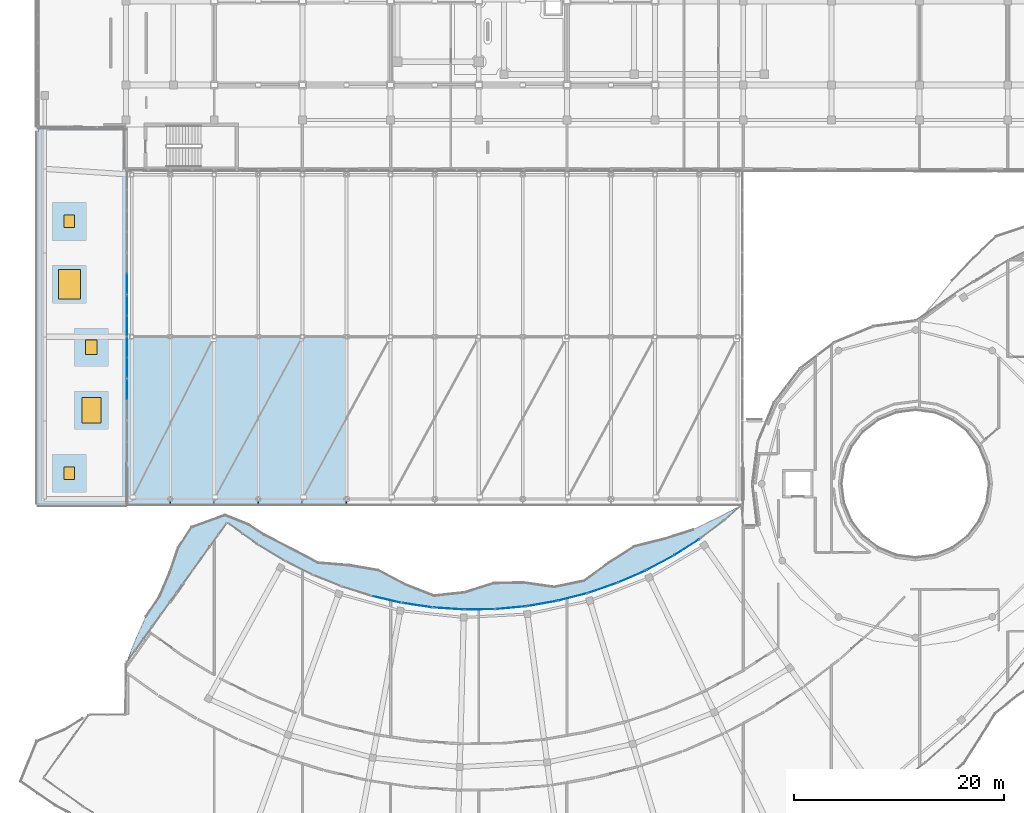
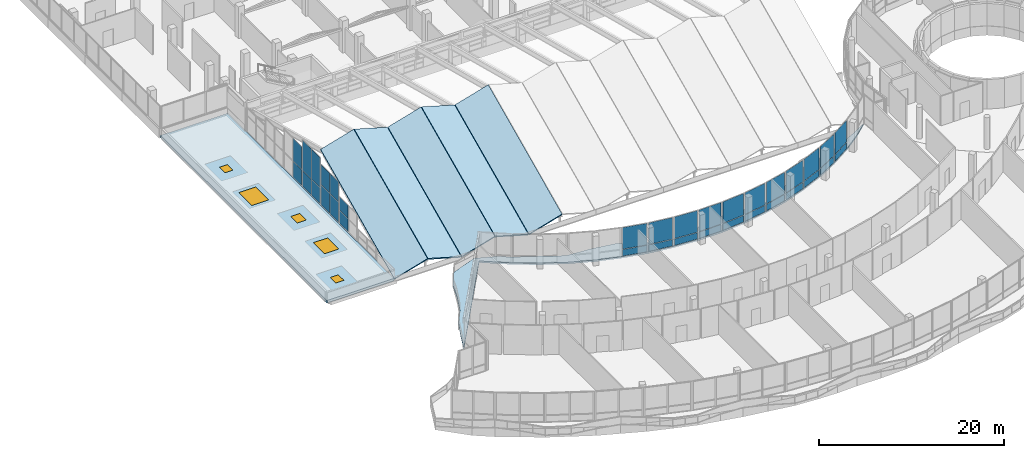
# One storey, part 144 of 184: 34 plates, 7 slabs, 3 doors, 2 windows, 5 openings, 15 elements without a shape of their own.
"""IFC4 building model written with IfcOpenShell, lengths in metres."""

from ifc_helpers import new_model, si_unit, direction, frame, origin, origin_2d, place, context, subcontext, project, spatial, polyline, rectangle, outline, extrude, material, layer, layer_set, type_object, element, fill, aggregate, save


model = new_model("IFC4")

# Units and contexts
model_context = context("Model", 3, precision=1e-05, world=origin(), true_north=direction((0.0, 1.0)))
body_context = subcontext(model_context, "Body", "Model", "MODEL_VIEW")
ifc_project = project(units=[si_unit("LENGTHUNIT", "METRE"), si_unit("AREAUNIT", "SQUARE_METRE"), si_unit("VOLUMEUNIT", "CUBIC_METRE"), si_unit("PLANEANGLEUNIT", "RADIAN"), si_unit("MASSUNIT", "GRAM", prefix="KILO")], contexts=[model_context])

# Site, building, storey
site_placement = place(None, origin())
site = spatial("IfcSite", under=ifc_project, at=site_placement, CompositionType="ELEMENT")
building_placement = place(site_placement, origin())
building = spatial("IfcBuilding", under=site, at=building_placement, Name="Selatvlak General Hospital", CompositionType="ELEMENT")
storey_placement = place(building_placement, frame((0.0, 0.0, 15.0)))
storey = spatial("IfcBuildingStorey", under=building, at=storey_placement, Name="L03", CompositionType="ELEMENT", Elevation=15.0)

# Curtain wall, plates
ifc_material_1 = material(Name="Solar-control Low-E double glazing", Category="glass")
curtain_wall_type_1 = type_object("IfcCurtainWallType", Name="CW-CW-01", PredefinedType="USERDEFINED", material=ifc_material_1)
curtain_wall_1_placement = place(storey_placement, origin())
curtain_wall_1 = element("IfcCurtainWall", 1, at=curtain_wall_1_placement, inside=storey, type_object=curtain_wall_type_1, Name="Glazed facade curtain wall CW-L03-0447", ObjectType="UNITISED CURTAIN WALL", PredefinedType="USERDEFINED")
ifc_layer_1 = layer(ifc_material_1, 0.028076171875, Name="Solar-control Low-E double glazing", Category="glass")
ifc_layer_set_1 = layer_set([ifc_layer_1], Name="Solar-control Low-E double glazing")
plate_type = type_object("IfcPlateType", Name="CWP-01", PredefinedType="CURTAIN_PANEL", material=ifc_layer_set_1)
plate_1_placement = place(storey_placement, frame((47.633056640625, 42.9765625, 0.06494140625), z_axis=(0.0, 0.0, 1.0), x_axis=(0.974478297582, -0.224481730976, 0.0)))
plate_1 = element("IfcPlate", 2, at=plate_1_placement, type_object=plate_type, Name="CW-01 panel 1.1", PredefinedType="CURTAIN_PANEL", context=body_context, shape_type="SweptSolid", body=[
    extrude(rectangle(XDim=2.77001953125, YDim=0.028076171875, at=origin_2d()), origin(), (0.0, 0.0, 1.0), 0.8525390625),
])
plate_2_placement = place(storey_placement, frame((47.633056640625, 42.9765625, 0.982421875), z_axis=(0.0, 0.0, 1.0), x_axis=(0.974478297582, -0.224481730976, 0.0)))
plate_2 = element("IfcPlate", 3, at=plate_2_placement, type_object=plate_type, Name="CW-01 panel 1.2", PredefinedType="CURTAIN_PANEL", context=body_context, shape_type="SweptSolid", body=[
    extrude(rectangle(XDim=2.77001953125, YDim=0.028076171875, at=origin_2d()), origin(), (0.0, 0.0, 1.0), 2.847412109375),
])
aggregate(curtain_wall_1, [plate_1, plate_2])

curtain_wall_type_2 = type_object("IfcCurtainWallType", Name="CW-CW-02", PredefinedType="USERDEFINED", material=ifc_material_1)
curtain_wall_2_placement = place(storey_placement, origin())
curtain_wall_2 = element("IfcCurtainWall", 4, at=curtain_wall_2_placement, inside=storey, type_object=curtain_wall_type_2, Name="Glazed facade curtain wall CW-L03-0448", ObjectType="UNITISED CURTAIN WALL", PredefinedType="USERDEFINED")
plate_3_placement = place(storey_placement, frame((50.56005859375, 42.427001953125, 0.06494140625), z_axis=(0.0, 0.0, 1.0), x_axis=(0.989262603626, -0.146148900327, 0.0)))
plate_3 = element("IfcPlate", 5, at=plate_3_placement, type_object=plate_type, Name="CW-02 panel 1.1", PredefinedType="CURTAIN_PANEL", context=body_context, shape_type="SweptSolid", body=[
    extrude(rectangle(XDim=2.771240234375, YDim=0.028076171875, at=origin_2d()), origin(), (0.0, 0.0, 1.0), 0.8525390625),
])
plate_4_placement = place(storey_placement, frame((50.56005859375, 42.427001953125, 0.982421875), z_axis=(0.0, 0.0, 1.0), x_axis=(0.989262603626, -0.146148900327, 0.0)))
plate_4 = element("IfcPlate", 6, at=plate_4_placement, type_object=plate_type, Name="CW-02 panel 1.2", PredefinedType="CURTAIN_PANEL", context=body_context, shape_type="SweptSolid", body=[
    extrude(rectangle(XDim=2.771240234375, YDim=0.028076171875, at=origin_2d()), origin(), (0.0, 0.0, 1.0), 2.847412109375),
])
aggregate(curtain_wall_2, [plate_3, plate_4])

curtain_wall_3_placement = place(storey_placement, origin())
curtain_wall_3 = element("IfcCurtainWall", 7, at=curtain_wall_3_placement, inside=storey, type_object=curtain_wall_type_1, Name="Glazed facade curtain wall CW-L03-0449", ObjectType="UNITISED CURTAIN WALL", PredefinedType="USERDEFINED")
plate_5_placement = place(storey_placement, frame((53.52294921875, 42.111572265625, 0.06494140625), z_axis=(0.0, 0.0, 1.0), x_axis=(0.997740728699, -0.067182127799, 0.0)))
plate_5 = element("IfcPlate", 8, at=plate_5_placement, type_object=plate_type, Name="CW-01 panel 1.1", PredefinedType="CURTAIN_PANEL", context=body_context, shape_type="SweptSolid", body=[
    extrude(rectangle(XDim=2.7724609375, YDim=0.028076171875, at=origin_2d()), origin(), (0.0, 0.0, 1.0), 0.8525390625),
])
plate_6_placement = place(storey_placement, frame((53.52294921875, 42.111572265625, 0.982421875), z_axis=(0.0, 0.0, 1.0), x_axis=(0.997740728699, -0.067182127799, 0.0)))
plate_6 = element("IfcPlate", 9, at=plate_6_placement, type_object=plate_type, Name="CW-01 panel 1.2", PredefinedType="CURTAIN_PANEL", context=body_context, shape_type="SweptSolid", body=[
    extrude(rectangle(XDim=2.7724609375, YDim=0.028076171875, at=origin_2d()), origin(), (0.0, 0.0, 1.0), 2.847412109375),
])
aggregate(curtain_wall_3, [plate_5, plate_6])

curtain_wall_4_placement = place(storey_placement, origin())
curtain_wall_4 = element("IfcCurtainWall", 10, at=curtain_wall_4_placement, inside=storey, type_object=curtain_wall_type_2, Name="Glazed facade curtain wall CW-L03-0450", ObjectType="UNITISED CURTAIN WALL", PredefinedType="USERDEFINED")
plate_7_placement = place(storey_placement, frame((56.50048828125, 42.032470703125, 0.06494140625), z_axis=(0.0, 0.0, 1.0), x_axis=(0.999918562587, 0.012761982337, 0.0)))
plate_7 = element("IfcPlate", 11, at=plate_7_placement, type_object=plate_type, Name="CW-02 panel 1.1", PredefinedType="CURTAIN_PANEL", context=body_context, shape_type="SweptSolid", body=[
    extrude(rectangle(XDim=2.769287109375, YDim=0.028076171875, at=origin_2d()), origin(), (0.0, 0.0, 1.0), 0.8525390625),
])
plate_8_placement = place(storey_placement, frame((56.50048828125, 42.032470703125, 0.982421875), z_axis=(0.0, 0.0, 1.0), x_axis=(0.999918562587, 0.012761982337, 0.0)))
plate_8 = element("IfcPlate", 12, at=plate_8_placement, type_object=plate_type, Name="CW-02 panel 1.2", PredefinedType="CURTAIN_PANEL", context=body_context, shape_type="SweptSolid", body=[
    extrude(rectangle(XDim=2.769287109375, YDim=0.028076171875, at=origin_2d()), origin(), (0.0, 0.0, 1.0), 2.847412109375),
])
aggregate(curtain_wall_4, [plate_7, plate_8])

curtain_wall_5_placement = place(storey_placement, origin())
curtain_wall_5 = element("IfcCurtainWall", 13, at=curtain_wall_5_placement, inside=storey, type_object=curtain_wall_type_1, Name="Glazed facade curtain wall CW-L03-0451", ObjectType="UNITISED CURTAIN WALL", PredefinedType="USERDEFINED")
plate_9_placement = place(storey_placement, frame((59.474609375, 42.19091796875, 0.06494140625), z_axis=(0.0, 0.0, 1.0), x_axis=(0.99572483852, 0.092369074668, 0.0)))
plate_9 = element("IfcPlate", 14, at=plate_9_placement, type_object=plate_type, Name="CW-01 panel 1.1", PredefinedType="CURTAIN_PANEL", context=body_context, shape_type="SweptSolid", body=[
    extrude(rectangle(XDim=2.771484375, YDim=0.028076171875, at=origin_2d()), origin(), (0.0, 0.0, 1.0), 0.8525390625),
])
plate_10_placement = place(storey_placement, frame((59.474609375, 42.19091796875, 0.982421875), z_axis=(0.0, 0.0, 1.0), x_axis=(0.99572483852, 0.092369074668, 0.0)))
plate_10 = element("IfcPlate", 15, at=plate_10_placement, type_object=plate_type, Name="CW-01 panel 1.2", PredefinedType="CURTAIN_PANEL", context=body_context, shape_type="SweptSolid", body=[
    extrude(rectangle(XDim=2.771484375, YDim=0.028076171875, at=origin_2d()), origin(), (0.0, 0.0, 1.0), 2.847412109375),
])
aggregate(curtain_wall_5, [plate_9, plate_10])

curtain_wall_6_placement = place(storey_placement, origin())
curtain_wall_6 = element("IfcCurtainWall", 16, at=curtain_wall_6_placement, inside=storey, type_object=curtain_wall_type_2, Name="Glazed facade curtain wall CW-L03-0452", ObjectType="UNITISED CURTAIN WALL", PredefinedType="USERDEFINED")
plate_11_placement = place(storey_placement, frame((62.427001953125, 42.58544921875, 0.06494140625), z_axis=(0.0, 0.0, 1.0), x_axis=(0.985330444651, 0.170657302344, 0.0)))
plate_11 = element("IfcPlate", 17, at=plate_11_placement, type_object=plate_type, Name="CW-02 panel 1.1", PredefinedType="CURTAIN_PANEL", context=body_context, shape_type="SweptSolid", body=[
    extrude(rectangle(XDim=2.7705078125, YDim=0.028076171875, at=origin_2d()), origin(), (0.0, 0.0, 1.0), 0.8525390625),
])
plate_12_placement = place(storey_placement, frame((62.427001953125, 42.58544921875, 0.982421875), z_axis=(0.0, 0.0, 1.0), x_axis=(0.985330444651, 0.170657302344, 0.0)))
plate_12 = element("IfcPlate", 18, at=plate_12_placement, type_object=plate_type, Name="CW-02 panel 1.2", PredefinedType="CURTAIN_PANEL", context=body_context, shape_type="SweptSolid", body=[
    extrude(rectangle(XDim=2.7705078125, YDim=0.028076171875, at=origin_2d()), origin(), (0.0, 0.0, 1.0), 2.847412109375),
])
aggregate(curtain_wall_6, [plate_11, plate_12])

curtain_wall_7_placement = place(storey_placement, origin())
curtain_wall_7 = element("IfcCurtainWall", 19, at=curtain_wall_7_placement, inside=storey, type_object=curtain_wall_type_1, Name="Glazed facade curtain wall CW-L03-0453", ObjectType="UNITISED CURTAIN WALL", PredefinedType="USERDEFINED")
plate_13_placement = place(storey_placement, frame((65.340576171875, 43.212890625, 0.06494140625), z_axis=(0.0, 0.0, 1.0), x_axis=(0.968604360907, 0.248607304863, 0.0)))
plate_13 = element("IfcPlate", 20, at=plate_13_placement, type_object=plate_type, Name="CW-01 panel 1.1", PredefinedType="CURTAIN_PANEL", context=body_context, shape_type="SweptSolid", body=[
    extrude(rectangle(XDim=2.774169921875, YDim=0.028076171875, at=origin_2d()), origin(), (0.0, 0.0, 1.0), 0.8525390625),
])
plate_14_placement = place(storey_placement, frame((65.340576171875, 43.212890625, 0.982421875), z_axis=(0.0, 0.0, 1.0), x_axis=(0.968604360907, 0.248607304863, 0.0)))
plate_14 = element("IfcPlate", 21, at=plate_14_placement, type_object=plate_type, Name="CW-01 panel 1.2", PredefinedType="CURTAIN_PANEL", context=body_context, shape_type="SweptSolid", body=[
    extrude(rectangle(XDim=2.774169921875, YDim=0.028076171875, at=origin_2d()), origin(), (0.0, 0.0, 1.0), 2.847412109375),
])
aggregate(curtain_wall_7, [plate_13, plate_14])

curtain_wall_8_placement = place(storey_placement, origin())
curtain_wall_8 = element("IfcCurtainWall", 22, at=curtain_wall_8_placement, inside=storey, type_object=curtain_wall_type_2, Name="Glazed facade curtain wall CW-L03-0454", ObjectType="UNITISED CURTAIN WALL", PredefinedType="USERDEFINED")
plate_15_placement = place(storey_placement, frame((68.194580078125, 44.069580078125, 0.06494140625), z_axis=(0.0, 0.0, 1.0), x_axis=(0.945888500226, 0.324491825998, 0.0)))
plate_15 = element("IfcPlate", 23, at=plate_15_placement, type_object=plate_type, Name="CW-02 panel 1.1", PredefinedType="CURTAIN_PANEL", context=body_context, shape_type="SweptSolid", body=[
    extrude(rectangle(XDim=2.77001953125, YDim=0.028076171875, at=origin_2d()), origin(), (0.0, 0.0, 1.0), 0.8525390625),
])
plate_16_placement = place(storey_placement, frame((68.194580078125, 44.069580078125, 0.982421875), z_axis=(0.0, 0.0, 1.0), x_axis=(0.945888500226, 0.324491825998, 0.0)))
plate_16 = element("IfcPlate", 24, at=plate_16_placement, type_object=plate_type, Name="CW-02 panel 1.2", PredefinedType="CURTAIN_PANEL", context=body_context, shape_type="SweptSolid", body=[
    extrude(rectangle(XDim=2.77001953125, YDim=0.028076171875, at=origin_2d()), origin(), (0.0, 0.0, 1.0), 2.847412109375),
])
aggregate(curtain_wall_8, [plate_15, plate_16])

curtain_wall_9_placement = place(storey_placement, origin())
curtain_wall_9 = element("IfcCurtainWall", 25, at=curtain_wall_9_placement, inside=storey, type_object=curtain_wall_type_1, Name="Glazed facade curtain wall CW-L03-0455", ObjectType="UNITISED CURTAIN WALL", PredefinedType="USERDEFINED")
plate_17_placement = place(storey_placement, frame((70.968994140625, 45.1494140625, 0.06494140625), z_axis=(0.0, 0.0, 1.0), x_axis=(0.916899961497, 0.399117101371, 0.0)))
plate_17 = element("IfcPlate", 26, at=plate_17_placement, type_object=plate_type, Name="CW-01 panel 1.1", PredefinedType="CURTAIN_PANEL", context=body_context, shape_type="SweptSolid", body=[
    extrude(rectangle(XDim=2.768798828125, YDim=0.028076171875, at=origin_2d()), origin(), (0.0, 0.0, 1.0), 0.8525390625),
])
plate_18_placement = place(storey_placement, frame((70.968994140625, 45.1494140625, 0.982421875), z_axis=(0.0, 0.0, 1.0), x_axis=(0.916899961497, 0.399117101371, 0.0)))
plate_18 = element("IfcPlate", 27, at=plate_18_placement, type_object=plate_type, Name="CW-01 panel 1.2", PredefinedType="CURTAIN_PANEL", context=body_context, shape_type="SweptSolid", body=[
    extrude(rectangle(XDim=2.768798828125, YDim=0.028076171875, at=origin_2d()), origin(), (0.0, 0.0, 1.0), 2.847412109375),
])
aggregate(curtain_wall_9, [plate_17, plate_18])

curtain_wall_10_placement = place(storey_placement, origin())
curtain_wall_10 = element("IfcCurtainWall", 28, at=curtain_wall_10_placement, inside=storey, type_object=curtain_wall_type_2, Name="Glazed facade curtain wall CW-L03-0456", ObjectType="UNITISED CURTAIN WALL", PredefinedType="USERDEFINED")
plate_19_placement = place(storey_placement, frame((73.650390625, 46.447998046875, 0.06494140625), z_axis=(0.0, 0.0, 1.0), x_axis=(0.88248634372, 0.470338020096, 0.0)))
plate_19 = element("IfcPlate", 29, at=plate_19_placement, type_object=plate_type, Name="CW-02 panel 1.1", PredefinedType="CURTAIN_PANEL", context=body_context, shape_type="SweptSolid", body=[
    extrude(rectangle(XDim=2.7744140625, YDim=0.028076171875, at=origin_2d()), origin(), (0.0, 0.0, 1.0), 0.8525390625),
])
plate_20_placement = place(storey_placement, frame((73.650390625, 46.447998046875, 0.982421875), z_axis=(0.0, 0.0, 1.0), x_axis=(0.88248634372, 0.470338020096, 0.0)))
plate_20 = element("IfcPlate", 30, at=plate_20_placement, type_object=plate_type, Name="CW-02 panel 1.2", PredefinedType="CURTAIN_PANEL", context=body_context, shape_type="SweptSolid", body=[
    extrude(rectangle(XDim=2.7744140625, YDim=0.028076171875, at=origin_2d()), origin(), (0.0, 0.0, 1.0), 2.847412109375),
])
aggregate(curtain_wall_10, [plate_19, plate_20])

curtain_wall_11_placement = place(storey_placement, origin())
curtain_wall_11 = element("IfcCurtainWall", 31, at=curtain_wall_11_placement, inside=storey, type_object=curtain_wall_type_1, Name="Glazed facade curtain wall CW-L03-0457", ObjectType="UNITISED CURTAIN WALL", PredefinedType="USERDEFINED")
plate_21_placement = place(storey_placement, frame((76.221435546875, 47.955078125, 0.06494140625), z_axis=(0.0, 0.0, 1.0), x_axis=(0.842196262178, 0.539171082287, 0.0)))
plate_21 = element("IfcPlate", 32, at=plate_21_placement, type_object=plate_type, Name="CW-01 panel 1.1", PredefinedType="CURTAIN_PANEL", context=body_context, shape_type="SweptSolid", body=[
    extrude(rectangle(XDim=2.770751953125, YDim=0.028076171875, at=origin_2d()), origin(), (0.0, 0.0, 1.0), 0.8525390625),
])
plate_22_placement = place(storey_placement, frame((76.221435546875, 47.955078125, 0.982421875), z_axis=(0.0, 0.0, 1.0), x_axis=(0.842196262178, 0.539171082287, 0.0)))
plate_22 = element("IfcPlate", 33, at=plate_22_placement, type_object=plate_type, Name="CW-01 panel 1.2", PredefinedType="CURTAIN_PANEL", context=body_context, shape_type="SweptSolid", body=[
    extrude(rectangle(XDim=2.770751953125, YDim=0.028076171875, at=origin_2d()), origin(), (0.0, 0.0, 1.0), 2.847412109375),
])
aggregate(curtain_wall_11, [plate_21, plate_22])

curtain_wall_type_3 = type_object("IfcCurtainWallType", Name="CW-CW-05", PredefinedType="USERDEFINED", material=ifc_material_1)
curtain_wall_12_placement = place(storey_placement, origin())
curtain_wall_12 = element("IfcCurtainWall", 34, at=curtain_wall_12_placement, inside=storey, type_object=curtain_wall_type_3, Name="Glazed facade curtain wall CW-L03-0724", ObjectType="STICK GLAZING WALL", PredefinedType="USERDEFINED")
plate_23_placement = place(storey_placement, frame((22.8798828125, 62.98876953125, 0.06494140625), z_axis=(0.0, 0.0, 1.0), x_axis=(0.0, 1.0, 0.0)))
plate_23 = element("IfcPlate", 35, at=plate_23_placement, type_object=plate_type, Name="CW-05 panel 2.1", PredefinedType="CURTAIN_PANEL", context=body_context, shape_type="SweptSolid", body=[
    extrude(rectangle(XDim=1.862548828125, YDim=0.028076171875, at=origin_2d()), origin(), (0.0, 0.0, 1.0), 1.702392578125),
])
plate_24_placement = place(storey_placement, frame((22.8798828125, 62.98876953125, 1.83251953125), z_axis=(0.0, 0.0, 1.0), x_axis=(0.0, 1.0, 0.0)))
plate_24 = element("IfcPlate", 36, at=plate_24_placement, type_object=plate_type, Name="CW-05 panel 2.2", PredefinedType="CURTAIN_PANEL", context=body_context, shape_type="SweptSolid", body=[
    extrude(rectangle(XDim=1.862548828125, YDim=0.028076171875, at=origin_2d()), origin(), (0.0, 0.0, 1.0), 1.702392578125),
])
aggregate(curtain_wall_12, [plate_23, plate_24])

curtain_wall_13_placement = place(storey_placement, origin())
curtain_wall_13 = element("IfcCurtainWall", 37, at=curtain_wall_13_placement, inside=storey, type_object=curtain_wall_type_3, Name="Glazed facade curtain wall CW-L03-0725", ObjectType="STICK GLAZING WALL", PredefinedType="USERDEFINED")
plate_25_placement = place(storey_placement, frame((22.8798828125, 65.061279296875, 0.06494140625), z_axis=(0.0, 0.0, 1.0), x_axis=(0.0, 1.0, 0.0)))
plate_25 = element("IfcPlate", 38, at=plate_25_placement, type_object=plate_type, Name="CW-05 panel 1.1", PredefinedType="CURTAIN_PANEL", context=body_context, shape_type="SweptSolid", body=[
    extrude(rectangle(XDim=1.862548828125, YDim=0.028076171875, at=origin_2d()), origin(), (0.0, 0.0, 1.0), 2.62744140625),
])
plate_26_placement = place(storey_placement, frame((22.8798828125, 65.061279296875, 2.757568359375), z_axis=(0.0, 0.0, 1.0), x_axis=(0.0, 1.0, 0.0)))
plate_26 = element("IfcPlate", 39, at=plate_26_placement, type_object=plate_type, Name="CW-05 panel 1.2", PredefinedType="CURTAIN_PANEL", context=body_context, shape_type="SweptSolid", body=[
    extrude(rectangle(XDim=1.862548828125, YDim=0.028076171875, at=origin_2d()), origin(), (0.0, 0.0, 1.0), 2.62744140625),
])
plate_27_placement = place(storey_placement, frame((22.8798828125, 66.98876953125, 0.06494140625), z_axis=(0.0, 0.0, 1.0), x_axis=(0.0, 1.0, 0.0)))
plate_27 = element("IfcPlate", 40, at=plate_27_placement, type_object=plate_type, Name="CW-05 panel 2.1", PredefinedType="CURTAIN_PANEL", context=body_context, shape_type="SweptSolid", body=[
    extrude(rectangle(XDim=1.862548828125, YDim=0.028076171875, at=origin_2d()), origin(), (0.0, 0.0, 1.0), 2.62744140625),
])
plate_28_placement = place(storey_placement, frame((22.8798828125, 66.98876953125, 2.757568359375), z_axis=(0.0, 0.0, 1.0), x_axis=(0.0, 1.0, 0.0)))
plate_28 = element("IfcPlate", 41, at=plate_28_placement, type_object=plate_type, Name="CW-05 panel 2.2", PredefinedType="CURTAIN_PANEL", context=body_context, shape_type="SweptSolid", body=[
    extrude(rectangle(XDim=1.862548828125, YDim=0.028076171875, at=origin_2d()), origin(), (0.0, 0.0, 1.0), 2.62744140625),
])
aggregate(curtain_wall_13, [plate_25, plate_26, plate_27, plate_28])

curtain_wall_14_placement = place(storey_placement, origin())
curtain_wall_14 = element("IfcCurtainWall", 42, at=curtain_wall_14_placement, inside=storey, type_object=curtain_wall_type_3, Name="Glazed facade curtain wall CW-L03-0726", ObjectType="STICK GLAZING WALL", PredefinedType="USERDEFINED")
plate_29_placement = place(storey_placement, frame((22.8798828125, 69.061279296875, 0.06494140625), z_axis=(0.0, 0.0, 1.0), x_axis=(0.0, 1.0, 0.0)))
plate_29 = element("IfcPlate", 43, at=plate_29_placement, type_object=plate_type, Name="CW-05 panel 1.1", PredefinedType="CURTAIN_PANEL", context=body_context, shape_type="SweptSolid", body=[
    extrude(rectangle(XDim=1.862548828125, YDim=0.028076171875, at=origin_2d()), origin(), (0.0, 0.0, 1.0), 2.1025390625),
])
plate_30_placement = place(storey_placement, frame((22.8798828125, 69.061279296875, 2.232421875), z_axis=(0.0, 0.0, 1.0), x_axis=(0.0, 1.0, 0.0)))
plate_30 = element("IfcPlate", 44, at=plate_30_placement, type_object=plate_type, Name="CW-05 panel 1.2", PredefinedType="CURTAIN_PANEL", context=body_context, shape_type="SweptSolid", body=[
    extrude(rectangle(XDim=1.862548828125, YDim=0.028076171875, at=origin_2d()), origin(), (0.0, 0.0, 1.0), 3.952392578125),
])
plate_31_placement = place(storey_placement, frame((22.8798828125, 70.98876953125, 0.06494140625), z_axis=(0.0, 0.0, 1.0), x_axis=(0.0, 1.0, 0.0)))
plate_31 = element("IfcPlate", 45, at=plate_31_placement, type_object=plate_type, Name="CW-05 panel 2.1", PredefinedType="CURTAIN_PANEL", context=body_context, shape_type="SweptSolid", body=[
    extrude(rectangle(XDim=1.862548828125, YDim=0.028076171875, at=origin_2d()), origin(), (0.0, 0.0, 1.0), 2.1025390625),
])
plate_32_placement = place(storey_placement, frame((22.8798828125, 70.98876953125, 2.232421875), z_axis=(0.0, 0.0, 1.0), x_axis=(0.0, 1.0, 0.0)))
plate_32 = element("IfcPlate", 46, at=plate_32_placement, type_object=plate_type, Name="CW-05 panel 2.2", PredefinedType="CURTAIN_PANEL", context=body_context, shape_type="SweptSolid", body=[
    extrude(rectangle(XDim=1.862548828125, YDim=0.028076171875, at=origin_2d()), origin(), (0.0, 0.0, 1.0), 3.952392578125),
])
aggregate(curtain_wall_14, [plate_29, plate_30, plate_31, plate_32])

curtain_wall_15_placement = place(storey_placement, origin())
curtain_wall_15 = element("IfcCurtainWall", 47, at=curtain_wall_15_placement, inside=storey, type_object=curtain_wall_type_3, Name="Glazed facade curtain wall CW-L03-0727", ObjectType="STICK GLAZING WALL", PredefinedType="USERDEFINED")
plate_33_placement = place(storey_placement, frame((22.8798828125, 73.061279296875, 0.06494140625), z_axis=(0.0, 0.0, 1.0), x_axis=(0.0, 1.0, 0.0)))
plate_33 = element("IfcPlate", 48, at=plate_33_placement, type_object=plate_type, Name="CW-05 panel 1.1", PredefinedType="CURTAIN_PANEL", context=body_context, shape_type="SweptSolid", body=[
    extrude(rectangle(XDim=1.862548828125, YDim=0.028076171875, at=origin_2d()), origin(), (0.0, 0.0, 1.0), 2.1025390625),
])
plate_34_placement = place(storey_placement, frame((22.8798828125, 73.061279296875, 2.232421875), z_axis=(0.0, 0.0, 1.0), x_axis=(0.0, 1.0, 0.0)))
plate_34 = element("IfcPlate", 49, at=plate_34_placement, type_object=plate_type, Name="CW-05 panel 1.2", PredefinedType="CURTAIN_PANEL", context=body_context, shape_type="SweptSolid", body=[
    extrude(rectangle(XDim=1.862548828125, YDim=0.028076171875, at=origin_2d()), origin(), (0.0, 0.0, 1.0), 2.952392578125),
])
aggregate(curtain_wall_15, [plate_33, plate_34])

# Slabs
ifc_material_2 = material(Name="Concrete C40/50", Category="concrete")
ifc_layer_2 = layer(ifc_material_2, 0.215087890625, Name="Concrete C40/50", Category="concrete")
ifc_layer_set_2 = layer_set([ifc_layer_2], Name="Concrete C40/50")
slab_type_1 = type_object("IfcSlabType", Name="SLAB-SL-BL3", PredefinedType="FLOOR", material=ifc_layer_set_2)
slab_1_placement = place(storey_placement, frame((0.0, 0.0, -0.215087890625)))
element("IfcSlab", 50, at=slab_1_placement, inside=storey, type_object=slab_type_1, Name="L03 S-curve sunshade balcony 2", PredefinedType="FLOOR", context=body_context, shape_type="SweptSolid", body=[
    extrude(outline(polyline([(46.826904296875, 45.77197265625), (49.39501953125, 44.4130859375), (52.133056640625, 43.341064453125), (55.032958984375, 43.655029296875), (57.8359375, 44.537109375), (60.634033203125, 44.596923828125), (63.5849609375, 44.176025390625), (66.409912109375, 44.761962890625), (68.820068359375, 46.508056640625), (71.200927734375, 48.0390625), (74.010986328125, 48.738037109375), (76.837890625, 49.634033203125), (79.527099609375, 50.923095703125), (81.31591796875, 51.919921875), (81.363037109375, 51.919921875), (79.8291015625, 50.551025390625), (77.455078125, 48.75), (74.944091796875, 47.14306640625), (72.31201171875, 45.739990234375), (69.580078125, 44.551025390625), (66.762939453125, 43.583984375), (63.8720703125, 42.841064453125), (60.93505859375, 42.3310546875), (57.967041015625, 42.055908203125), (54.988037109375, 42.01806640625), (52.012939453125, 42.218017578125), (49.06396484375, 42.652099609375), (46.158935546875, 43.320068359375), (43.31494140625, 44.217041015625), (40.551025390625, 45.3359375), (37.885009765625, 46.669921875), (35.3359375, 48.2119140625), (32.43994140625, 50.31005859375), (22.8798828125, 37.028076171875), (22.8798828125, 37.10888671875), (23.697998046875, 39.1669921875), (24.68896484375, 41.35791015625), (25.9970703125, 43.321044921875), (26.946044921875, 45.54296875), (27.740966796875, 47.875), (29.01611328125, 49.863037109375), (32.218017578125, 51.02197265625), (34.498046875, 50.10302734375), (35.947998046875, 49.156005859375), (38.52587890625, 47.8310546875), (41.070068359375, 46.48388671875), (44.0419921875, 46.240966796875), (46.826904296875, 45.77197265625)])), origin(), (0.0, 0.0, 1.0), 0.215087890625),
])
ifc_layer_3 = layer(ifc_material_2, 0.219970703125, Name="Concrete C40/50", Category="concrete")
ifc_layer_set_3 = layer_set([ifc_layer_3], Name="Concrete C40/50")
slab_type_2 = type_object("IfcSlabType", Name="SLAB-SL-FP1", PredefinedType="ROOF", material=ifc_layer_set_3)
slab_2_placement = place(storey_placement, frame((22.824951171875, 52.0, 0.0), z_axis=(-0.253790313154, -0.406555972963, 0.877668911263), x_axis=(0.960644912925, -1.0082388e-05, 0.277779320992)))
element("IfcSlab", 51, at=slab_2_placement, inside=storey, type_object=slab_type_2, Name="Folded-plate roof facet RF-FP-01", PredefinedType="ROOF", context=body_context, shape_type="SweptSolid", body=[
    extrude(outline(polyline([(0.0, 0.0), (4.320138729853007, 0.0), (6.37558532838226, 17.485452593114317), (2.0553787813122137, 17.48535724192143), (0.0, 0.0)])), origin(), (0.0, 0.0, -1.0), 0.219970703125),
])
for number, where, z_axis, x_axis, name in (
    (52, (31.22509765625, 52.0, 0.0), (-0.253804282001, -0.406554432387, 0.877665585485), (0.960640552029, -1.0082859e-05, 0.277794401843), "Folded-plate roof facet RF-FP-05"),
    (53, (39.625, 52.0, 0.0), (-0.253804282001, -0.406554432387, 0.877665585485), (0.960640552029, -1.0082859e-05, 0.277794401843), "Folded-plate roof facet RF-FP-09"),
):
    element("IfcSlab", number, at=place(storey_placement, frame(where, z_axis=z_axis, x_axis=x_axis)), inside=storey, type_object=slab_type_2, Name=name, PredefinedType="ROOF", context=body_context, shape_type="SweptSolid", body=[
        extrude(outline(polyline([(0.0, 0.0), (4.319904196399222, -1.6653345369377348e-16), (6.3754623879101295, 17.485439474796337), (2.0554903706120196, 17.485344124397553), (0.0, 0.0)])), origin(), (0.0, 0.0, -1.0), 0.219970703125),
    ])
ifc_layer_4 = layer(ifc_material_2, 0.2119140625, Name="Concrete C40/50", Category="concrete")
ifc_layer_set_4 = layer_set([ifc_layer_4], Name="Concrete C40/50")
slab_type_3 = type_object("IfcSlabType", Name="SLAB-SL-FP2", PredefinedType="ROOF", material=ifc_layer_set_4)
slab_3_placement = place(storey_placement, frame((27.02490234375, 52.0, 1.199951171875), z_axis=(0.253790313154, -0.406555972963, 0.877668911263), x_axis=(0.960644912925, 1.0082388e-05, -0.277779320992)))
element("IfcSlab", 54, at=slab_3_placement, inside=storey, type_object=slab_type_3, Name="Folded-plate roof facet RF-FP-03", PredefinedType="ROOF", context=body_context, shape_type="SweptSolid", body=[
    extrude(outline(polyline([(0.0, 0.0), (4.320138729853007, 0.0), (2.2647599485407937, 17.48535724192143), (-2.0554465985292527, 17.485452593114317), (0.0, 0.0)])), origin(), (0.0, 0.0, -1.0), 0.2119140625),
])
slab_4_placement = place(storey_placement, frame((35.425048828125, 52.0, 1.199951171875), z_axis=(0.253804282001, -0.406554432387, 0.877665585485), x_axis=(0.960640552029, 1.0082859e-05, -0.277794401843)))
element("IfcSlab", 55, at=slab_4_placement, inside=storey, type_object=slab_type_3, Name="Folded-plate roof facet RF-FP-07", PredefinedType="ROOF", context=body_context, shape_type="SweptSolid", body=[
    extrude(outline(polyline([(0.0, 0.0), (4.319904196399222, 1.6653345369377348e-16), (2.2644138257872024, 17.485344124397553), (-2.055558191510907, 17.48543947479634), (0.0, 0.0)])), origin(), (0.0, 0.0, -1.0), 0.2119140625),
])

# Slab, openings, doors, windows
ifc_layer_5 = layer(ifc_material_2, 0.31005859375, Name="Concrete C40/50", Category="concrete")
ifc_layer_set_5 = layer_set([ifc_layer_5], Name="Concrete C40/50")
slab_type_4 = type_object("IfcSlabType", Name="SLAB-SL-RF2", PredefinedType="ROOF", material=ifc_layer_set_5)
slab_5_placement = place(storey_placement, frame((0.0, 0.0, -0.260009765625)))
slab_5 = element("IfcSlab", 56, at=slab_5_placement, inside=storey, type_object=slab_type_4, Name="L03 roof slab ROOF-V2", PredefinedType="ROOF", context=body_context, shape_type="SweptSolid", body=[
    extrude(outline(polyline([(22.794921875, 52.0), (14.39990234375, 52.0), (14.39990234375, 87.991943359375), (22.7919921875, 87.991943359375), (22.794921875, 52.0)]), holes=[polyline([(16.89990234375, 54.39990234375), (17.89990234375, 54.39990234375), (17.89990234375, 55.60009765625), (16.89990234375, 55.60009765625), (16.89990234375, 54.39990234375)]), polyline([(18.60009765625, 59.800048828125), (20.39990234375, 59.800048828125), (20.39990234375, 62.199951171875), (18.60009765625, 62.199951171875), (18.60009765625, 59.800048828125)]), polyline([(18.949951171875, 66.300048828125), (20.050048828125, 66.300048828125), (20.050048828125, 67.699951171875), (18.949951171875, 67.699951171875), (18.949951171875, 66.300048828125)]), polyline([(16.35009765625, 71.60009765625), (18.449951171875, 71.60009765625), (18.449951171875, 74.39990234375), (16.35009765625, 74.39990234375), (16.35009765625, 71.60009765625)]), polyline([(16.89990234375, 78.39990234375), (17.89990234375, 78.39990234375), (17.89990234375, 79.60009765625), (16.89990234375, 79.60009765625), (16.89990234375, 78.39990234375)])]), origin(), (0.0, 0.0, 1.0), 0.31005859375),
])
opening_1_placement = place(slab_5_placement, frame((17.39990234375, 55.0, 0.0)))
opening_1 = element("IfcOpeningElement", 57, at=opening_1_placement, cuts=slab_5, Name="Opening DH-01", PredefinedType="OPENING", context=body_context, shape_type="SweptSolid", body=[
    extrude(rectangle(XDim=1.0, YDim=1.199951171875, at=origin_2d()), frame((0.0, 0.0, -0.010009765625)), (0.0, 0.0, 1.0), 0.330078125),
])
opening_2_placement = place(slab_5_placement, frame((19.5, 61.0, 0.0)))
opening_2 = element("IfcOpeningElement", 58, at=opening_2_placement, cuts=slab_5, Name="Opening SK-01", PredefinedType="OPENING", context=body_context, shape_type="SweptSolid", body=[
    extrude(rectangle(XDim=1.800048828125, YDim=2.39990234375, at=origin_2d()), frame((0.0, 0.0, -0.010009765625)), (0.0, 0.0, 1.0), 0.330078125),
])
opening_3_placement = place(slab_5_placement, frame((19.5, 67.0, 0.0)))
opening_3 = element("IfcOpeningElement", 59, at=opening_3_placement, cuts=slab_5, Name="Opening DH-02", PredefinedType="OPENING", context=body_context, shape_type="SweptSolid", body=[
    extrude(rectangle(XDim=1.10009765625, YDim=1.39990234375, at=origin_2d()), frame((0.0, 0.0, -0.010009765625)), (0.0, 0.0, 1.0), 0.330078125),
])
opening_4_placement = place(slab_5_placement, frame((17.39990234375, 73.0, 0.0)))
opening_4 = element("IfcOpeningElement", 60, at=opening_4_placement, cuts=slab_5, Name="Opening SK-02", PredefinedType="OPENING", context=body_context, shape_type="SweptSolid", body=[
    extrude(rectangle(XDim=2.10009765625, YDim=2.800048828125, at=origin_2d()), frame((0.0, 0.0, -0.010009765625)), (0.0, 0.0, 1.0), 0.330078125),
])
opening_5_placement = place(slab_5_placement, frame((17.39990234375, 79.0, 0.0)))
opening_5 = element("IfcOpeningElement", 61, at=opening_5_placement, cuts=slab_5, Name="Opening DH-01", PredefinedType="OPENING", context=body_context, shape_type="SweptSolid", body=[
    extrude(rectangle(XDim=1.0, YDim=1.199951171875, at=origin_2d()), frame((0.0, 0.0, -0.010009765625)), (0.0, 0.0, 1.0), 0.330078125),
])
ifc_material_3 = material(Name="Anodised aluminium insulated hatch", Category="aluminium")
door_type_1 = type_object("IfcDoorType", Name="DOOR-HT-01", OperationType="SINGLE_SWING_LEFT", PredefinedType="TRAPDOOR", material=ifc_material_3)
door_1_placement = place(opening_1_placement, frame((0.0, 0.0, 0.260009765625)))
door_1 = element("IfcDoor", 62, at=door_1_placement, inside=storey, type_object=door_type_1, Name="Roof access hatch 1", OperationType="SINGLE_SWING_LEFT", OverallHeight=1.199951171875, OverallWidth=1.0, PredefinedType="TRAPDOOR", context=body_context, shape_type="SweptSolid", body=[
    extrude(rectangle(XDim=1.0, YDim=1.199951171875, at=origin_2d()), origin(), (0.0, 0.0, 1.0), 0.050048828125),
])
fill(opening_1, door_1)
door_2_placement = place(opening_5_placement, frame((0.0, 0.0, 0.260009765625)))
door_2 = element("IfcDoor", 63, at=door_2_placement, inside=storey, type_object=door_type_1, Name="Roof access hatch 3", OperationType="SINGLE_SWING_LEFT", OverallHeight=1.199951171875, OverallWidth=1.0, PredefinedType="TRAPDOOR", context=body_context, shape_type="SweptSolid", body=[
    extrude(rectangle(XDim=1.0, YDim=1.199951171875, at=origin_2d()), origin(), (0.0, 0.0, 1.0), 0.050048828125),
])
fill(opening_5, door_2)
door_type_2 = type_object("IfcDoorType", Name="DOOR-HT-02", OperationType="SINGLE_SWING_LEFT", PredefinedType="TRAPDOOR", material=ifc_material_3)
door_3_placement = place(opening_3_placement, frame((0.0, 0.0, 0.260009765625)))
door_3 = element("IfcDoor", 64, at=door_3_placement, inside=storey, type_object=door_type_2, Name="Roof access hatch 2", OperationType="SINGLE_SWING_LEFT", OverallHeight=1.39990234375, OverallWidth=1.10009765625, PredefinedType="TRAPDOOR", context=body_context, shape_type="SweptSolid", body=[
    extrude(rectangle(XDim=1.10009765625, YDim=1.39990234375, at=origin_2d()), origin(), (0.0, 0.0, 1.0), 0.050048828125),
])
fill(opening_3, door_3)
ifc_material_4 = material(Name="Double-glazed thermally broken skylight")
window_type_1 = type_object("IfcWindowType", Name="WIN-SKY-01", PartitioningType="SINGLE_PANEL", PredefinedType="SKYLIGHT", material=ifc_material_4)
window_1_placement = place(opening_2_placement, frame((0.0, 0.0, 0.260009765625)))
window_1 = element("IfcWindow", 65, at=window_1_placement, inside=storey, type_object=window_type_1, Name="Roof clerestory skylight 1", OverallHeight=2.39990234375, OverallWidth=1.800048828125, PartitioningType="SINGLE_PANEL", PredefinedType="SKYLIGHT", context=body_context, shape_type="SweptSolid", body=[
    extrude(rectangle(XDim=1.800048828125, YDim=2.39990234375, at=origin_2d()), origin(), (0.0, 0.0, 1.0), 0.050048828125),
])
fill(opening_2, window_1)
window_type_2 = type_object("IfcWindowType", Name="WIN-SKY-02", PartitioningType="SINGLE_PANEL", PredefinedType="SKYLIGHT", material=ifc_material_4)
window_2_placement = place(opening_4_placement, frame((0.0, 0.0, 0.260009765625)))
window_2 = element("IfcWindow", 66, at=window_2_placement, inside=storey, type_object=window_type_2, Name="Roof clerestory skylight 2", OverallHeight=2.800048828125, OverallWidth=2.10009765625, PartitioningType="SINGLE_PANEL", PredefinedType="SKYLIGHT", context=body_context, shape_type="SweptSolid", body=[
    extrude(rectangle(XDim=2.10009765625, YDim=2.800048828125, at=origin_2d()), origin(), (0.0, 0.0, 1.0), 0.050048828125),
])
fill(opening_4, window_2)

save(model, "model.ifc")
